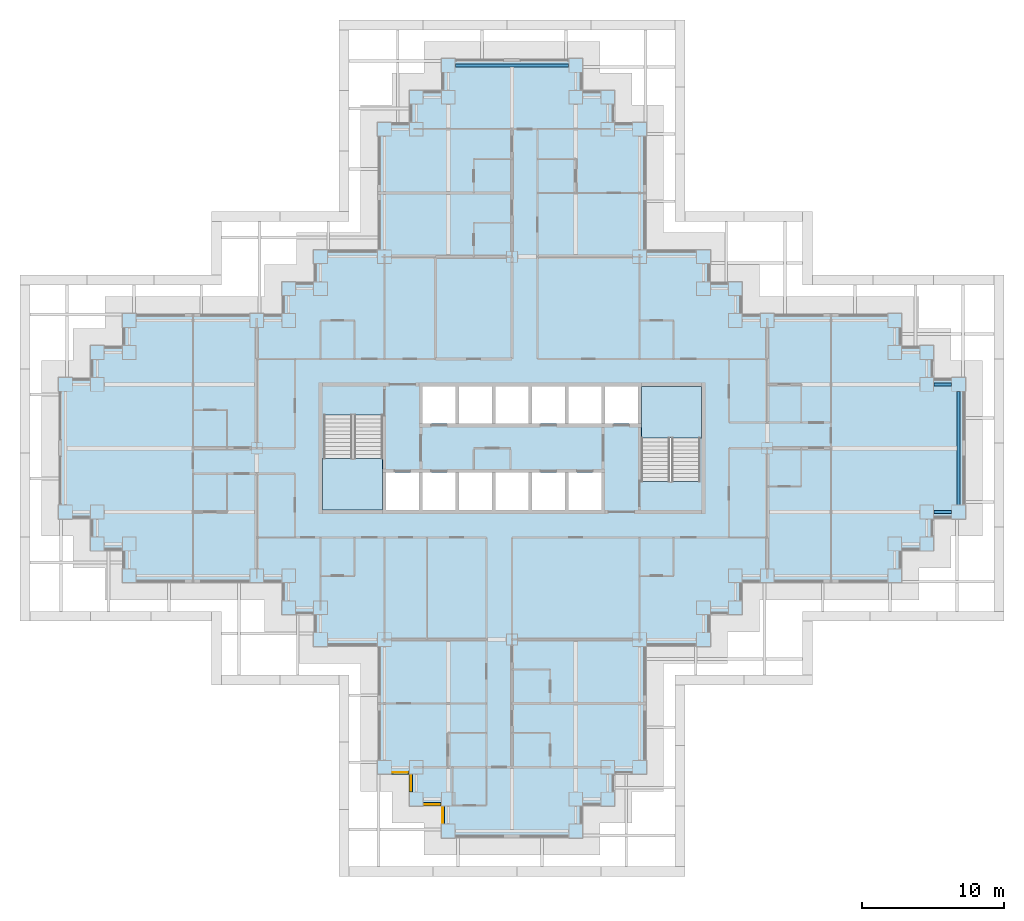
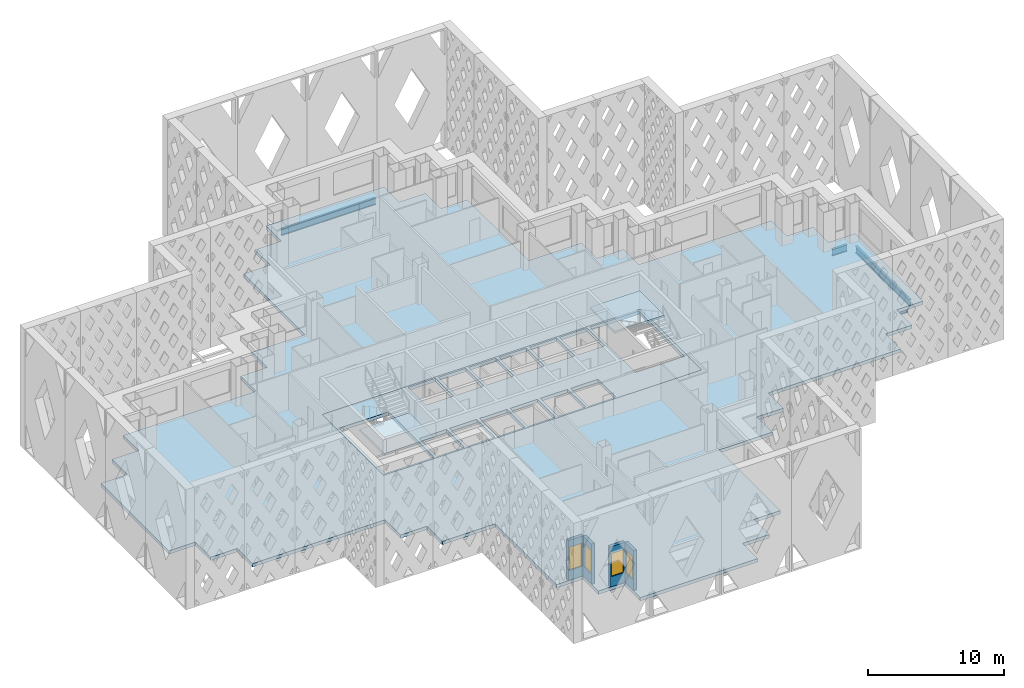
# One storey, part 2 of 19: 4 beams, 4 slabs, 4 walls, 4 windows, 4 openings, 2 elements without a shape of their own.
"""IFC4 building model written with IfcOpenShell, lengths in metres."""

from ifc_helpers import new_model, si_unit, direction, frame, frame_2d, origin, origin_2d, place, context, subcontext, project, spatial, polyline, rectangle, i_section, outline, extrude, material, layer, layer_set, material_profile, profile_set, type_object, element, fill, aggregate, save


model = new_model("IFC4")

# Units and contexts
model_context = context("Model", 3, precision=1e-05, world=origin(), true_north=direction((0.0, 1.0)))
body_context = subcontext(model_context, "Body", "Model", "MODEL_VIEW")
ifc_project = project(units=[si_unit("LENGTHUNIT", "METRE"), si_unit("AREAUNIT", "SQUARE_METRE"), si_unit("VOLUMEUNIT", "CUBIC_METRE"), si_unit("PLANEANGLEUNIT", "RADIAN"), si_unit("MASSUNIT", "GRAM", prefix="KILO")], contexts=[model_context])

# Site, building, storey
site_placement = place(None, origin())
site = spatial("IfcSite", under=ifc_project, at=site_placement, CompositionType="ELEMENT")
building_placement = place(site_placement, origin())
building = spatial("IfcBuilding", under=site, at=building_placement, Name="Caravel Reach Hotel and Residences", CompositionType="ELEMENT")
storey_placement = place(building_placement, frame((0.0, 0.0, 63.60009765625)))
storey = spatial("IfcBuildingStorey", under=building, at=storey_placement, Name="L14", CompositionType="ELEMENT", Elevation=63.60009765625)

# Beams
ifc_material_1 = material(Name="Structural steel Q355B", Category="steel")
ifc_material_profile = material_profile(ifc_material_1, i_section(OverallWidth=0.199951171875, OverallDepth=0.60009765625, WebThickness=0.010986328125, FlangeThickness=0.01708984375, FilletRadius=0.012939453125, at=origin_2d()), Name="HN 600x200x11x17")
ifc_profile_set = profile_set([ifc_material_profile], Name="Structural steel Q355B")
beam_type = type_object("IfcBeamType", Name="Spandrel beam HN 600x200x11x17", PredefinedType="SPANDREL", material=ifc_profile_set)
beam_1_placement = place(storey_placement, frame((61.25, 22.5, -0.60009765625), z_axis=(1.0, 0.0, 0.0), x_axis=(0.0, 1.0, 0.0)))
element("IfcBeam", 1, at=beam_1_placement, inside=storey, type_object=beam_type, Name="SP1 HN 600x200x11x17", PredefinedType="SPANDREL", context=body_context, shape_type="SweptSolid", body=[
    extrude(i_section(OverallWidth=0.199951171875, OverallDepth=0.60009765625, WebThickness=0.010986328125, FlangeThickness=0.01708984375, FilletRadius=0.012939453125, at=origin_2d()), origin(), (0.0, 0.0, 1.0), 1.25),
])
beam_2_placement = place(storey_placement, frame((63.0, 23.0, -0.60009765625), z_axis=(0.0, 1.0, 0.0), x_axis=(-1.0, 0.0, 0.0)))
element("IfcBeam", 2, at=beam_2_placement, inside=storey, type_object=beam_type, Name="SP1 HN 600x200x11x17", PredefinedType="SPANDREL", context=body_context, shape_type="SweptSolid", body=[
    extrude(i_section(OverallWidth=0.199951171875, OverallDepth=0.60009765625, WebThickness=0.010986328125, FlangeThickness=0.01708984375, FilletRadius=0.012939453125, at=origin_2d()), origin(), (0.0, 0.0, 1.0), 8.0),
])
beam_3_placement = place(storey_placement, frame((62.5, 31.5, -0.60009765625), z_axis=(-1.0, 0.0, 0.0), x_axis=(0.0, -1.0, 0.0)))
element("IfcBeam", 3, at=beam_3_placement, inside=storey, type_object=beam_type, Name="SP1 HN 600x200x11x17", PredefinedType="SPANDREL", context=body_context, shape_type="SweptSolid", body=[
    extrude(i_section(OverallWidth=0.199951171875, OverallDepth=0.60009765625, WebThickness=0.010986328125, FlangeThickness=0.01708984375, FilletRadius=0.012939453125, at=origin_2d()), origin(), (0.0, 0.0, 1.0), 1.25),
])
beam_4_placement = place(storey_placement, frame((35.5, 54.0, -0.60009765625), z_axis=(-1.0, 0.0, 0.0), x_axis=(0.0, -1.0, 0.0)))
element("IfcBeam", 4, at=beam_4_placement, inside=storey, type_object=beam_type, Name="SP1 HN 600x200x11x17", PredefinedType="SPANDREL", context=body_context, shape_type="SweptSolid", body=[
    extrude(i_section(OverallWidth=0.199951171875, OverallDepth=0.60009765625, WebThickness=0.010986328125, FlangeThickness=0.01708984375, FilletRadius=0.012939453125, at=origin_2d()), origin(), (0.0, 0.0, 1.0), 8.0),
])

# Slab
ifc_material_2 = material(Name="Concrete C40", Category="concrete")
ifc_layer_1 = layer(ifc_material_2, 0.300048828125)
ifc_layer_set_1 = layer_set([ifc_layer_1], Name="Core floor slab 300 mm")
slab_type_1 = type_object("IfcSlabType", Name="Core floor slab 300 mm", PredefinedType="FLOOR", material=ifc_layer_set_1)
slab_1_placement = place(storey_placement, frame((0.0, 0.0, -0.300048828125)))
element("IfcSlab", 5, at=slab_1_placement, inside=storey, type_object=slab_type_1, Name="L14 core floor", PredefinedType="FLOOR", context=body_context, shape_type="SweptSolid", body=[
    extrude(outline(polyline([(18.0, 31.5), (45.0, 31.5), (45.0, 22.5), (18.0, 22.5), (18.0, 31.5)]), holes=[polyline([(22.625, 25.27490234375), (22.625, 22.64990234375), (24.9462890625, 22.64990234375), (24.9462890625, 25.27490234375), (22.625, 25.27490234375)]), polyline([(27.517822265625, 25.27490234375), (25.1962890625, 25.27490234375), (25.1962890625, 22.64990234375), (27.517822265625, 22.64990234375), (27.517822265625, 25.27490234375)]), polyline([(30.08935546875, 25.27490234375), (27.767822265625, 25.27490234375), (27.767822265625, 22.64990234375), (30.08935546875, 22.64990234375), (30.08935546875, 25.27490234375)]), polyline([(32.66064453125, 25.27490234375), (30.33935546875, 25.27490234375), (30.33935546875, 22.64990234375), (32.66064453125, 22.64990234375), (32.66064453125, 25.27490234375)]), polyline([(18.22509765625, 22.64990234375), (22.375, 22.64990234375), (22.375, 29.35009765625), (18.22509765625, 29.35009765625), (18.22509765625, 22.64990234375)]), polyline([(27.517822265625, 31.35009765625), (25.1962890625, 31.35009765625), (25.1962890625, 28.72509765625), (27.517822265625, 28.72509765625), (27.517822265625, 31.35009765625)]), polyline([(30.08935546875, 31.35009765625), (27.767822265625, 31.35009765625), (27.767822265625, 28.72509765625), (30.08935546875, 28.72509765625), (30.08935546875, 31.35009765625)]), polyline([(32.91064453125, 25.27490234375), (32.91064453125, 22.64990234375), (35.232177734375, 22.64990234375), (35.232177734375, 25.27490234375), (32.91064453125, 25.27490234375)]), polyline([(37.8037109375, 25.27490234375), (35.482177734375, 25.27490234375), (35.482177734375, 22.64990234375), (37.8037109375, 22.64990234375), (37.8037109375, 25.27490234375)]), polyline([(44.77490234375, 31.35009765625), (40.625, 31.35009765625), (40.625, 24.64990234375), (44.77490234375, 24.64990234375), (44.77490234375, 31.35009765625)]), polyline([(32.66064453125, 31.35009765625), (30.33935546875, 31.35009765625), (30.33935546875, 28.72509765625), (32.66064453125, 28.72509765625), (32.66064453125, 31.35009765625)]), polyline([(35.232177734375, 31.35009765625), (32.91064453125, 31.35009765625), (32.91064453125, 28.72509765625), (35.232177734375, 28.72509765625), (35.232177734375, 31.35009765625)]), polyline([(37.8037109375, 31.35009765625), (35.482177734375, 31.35009765625), (35.482177734375, 28.72509765625), (37.8037109375, 28.72509765625), (37.8037109375, 31.35009765625)]), polyline([(40.375, 31.35009765625), (38.0537109375, 31.35009765625), (38.0537109375, 28.72509765625), (40.375, 28.72509765625), (40.375, 31.35009765625)])]), origin(), (0.0, 0.0, 1.0), 0.300048828125),
])

# Stair, slab
ifc_material_3 = material(Name="Concrete C40", Category="concrete")
stair_type = type_object("IfcStairType", Name="Core stair", PredefinedType="HALF_TURN_STAIR", material=ifc_material_3)
stair_1_placement = place(storey_placement, origin())
stair_1 = element("IfcStair", 6, at=stair_1_placement, inside=storey, type_object=stair_type, Name="L14 Exit stair A", PredefinedType="HALF_TURN_STAIR")
ifc_material_4 = material(Name="Concrete C40", Category="concrete")
ifc_layer_2 = layer(ifc_material_4, 0.199951171875)
ifc_layer_set_2 = layer_set([ifc_layer_2], Name="Core stair landing")
slab_type_2 = type_object("IfcSlabType", Name="Core stair landing", PredefinedType="LANDING", material=ifc_layer_set_2)
slab_2_placement = place(storey_placement, frame((0.0, 0.0, 1.599853515625)))
slab_2 = element("IfcSlab", 7, at=slab_2_placement, type_object=slab_type_2, Name="ST-A landing 1", PredefinedType="LANDING", context=body_context, shape_type="SweptSolid", body=[
    extrude(outline(polyline([(18.14990234375, 26.27001953125), (18.14990234375, 22.64990234375), (22.375, 22.64990234375), (22.375, 26.27001953125), (18.14990234375, 26.27001953125)])), origin(), (0.0, 0.0, 1.0), 0.199951171875),
])
aggregate(stair_1, [slab_2])

stair_2_placement = place(storey_placement, origin())
stair_2 = element("IfcStair", 8, at=stair_2_placement, inside=storey, type_object=stair_type, Name="L14 Exit stair B", PredefinedType="HALF_TURN_STAIR")
slab_3_placement = place(storey_placement, frame((0.0, 0.0, 1.599853515625)))
slab_3 = element("IfcSlab", 9, at=slab_3_placement, type_object=slab_type_2, Name="ST-B landing 1", PredefinedType="LANDING", context=body_context, shape_type="SweptSolid", body=[
    extrude(outline(polyline([(44.85009765625, 27.72998046875), (44.85009765625, 31.35009765625), (40.625, 31.35009765625), (40.625, 27.72998046875), (44.85009765625, 27.72998046875)])), origin(), (0.0, 0.0, 1.0), 0.199951171875),
])
aggregate(stair_2, [slab_3])

# Slab
ifc_material_5 = material(Name="Concrete C40 post-tensioned", Category="concrete")
ifc_layer_3 = layer(ifc_material_5, 0.300048828125)
ifc_layer_set_3 = layer_set([ifc_layer_3], Name="Floor slab 300")
slab_type_3 = type_object("IfcSlabType", Name="Floor slab 300", PredefinedType="FLOOR", material=ifc_layer_set_3)
slab_4_placement = place(storey_placement, frame((0.0, 0.0, -0.300048828125)))
element("IfcSlab", 10, at=slab_4_placement, inside=storey, type_object=slab_type_3, Name="S2 slab L14", PredefinedType="FLOOR", context=body_context, shape_type="SweptSolid", body=[
    extrude(outline(polyline([(17.5, 13.0), (17.5, 15.25), (15.25, 15.25), (15.25, 17.5), (4.0, 17.5), (4.0, 19.75), (1.75, 19.75), (1.75, 22.0), (-0.5, 22.0), (-0.5, 32.0), (1.75, 32.0), (1.75, 34.25), (4.0, 34.25), (4.0, 36.5), (15.25, 36.5), (15.25, 38.75), (17.5, 38.75), (17.5, 41.0), (22.0, 41.0), (22.0, 50.0), (24.25, 50.0), (24.25, 52.25), (26.5, 52.25), (26.5, 54.5), (36.5, 54.5), (36.5, 52.25), (38.75, 52.25), (38.75, 50.0), (41.0, 50.0), (41.0, 41.0), (45.5, 41.0), (45.5, 38.75), (47.75, 38.75), (47.75, 36.5), (59.0, 36.5), (59.0, 34.25), (61.25, 34.25), (61.25, 32.0), (63.5, 32.0), (63.5, 22.0), (61.25, 22.0), (61.25, 19.75), (59.0, 19.75), (59.0, 17.5), (47.75, 17.5), (47.75, 15.25), (45.5, 15.25), (45.5, 13.0), (41.0, 13.0), (41.0, 4.0), (38.75, 4.0), (38.75, 1.75), (36.5, 1.75), (36.5, -0.5), (26.5, -0.5), (26.5, 1.75), (24.25, 1.75), (24.25, 4.0), (22.0, 4.0), (22.0, 13.0), (17.5, 13.0)]), holes=[polyline([(45.0, 31.5), (18.0, 31.5), (18.0, 22.5), (45.0, 22.5), (45.0, 31.5)])]), origin(), (0.0, 0.0, 1.0), 0.300048828125),
])

# Wall, opening, window
ifc_material_6 = material(Name="Insulated rainscreen wall, aluminium cladding", Category="aluminium")
ifc_layer_4 = layer(ifc_material_6, 0.25)
ifc_layer_set_4 = layer_set([ifc_layer_4], Name="EW1 Tower rainscreen wall")
wall_type = type_object("IfcWallType", Name="EW1 Tower rainscreen wall", PredefinedType="SOLIDWALL", material=ifc_layer_set_4)
wall_1_placement = place(storey_placement, frame((23.0, 4.125, 0.0), z_axis=(0.0, 0.0, 1.0), x_axis=(1.0, 0.0, 0.0)))
wall_1 = element("IfcWall", 11, at=wall_1_placement, inside=storey, type_object=wall_type, Name="External wall L14 S1.1", PredefinedType="SOLIDWALL", context=body_context, shape_type="SweptSolid", body=[
    extrude(rectangle(XDim=1.25, YDim=0.25, at=frame_2d((0.625, 0.0))), origin(), (0.0, 0.0, 1.0), 3.599853515625),
])
opening_1_placement = place(wall_1_placement, frame((0.10009765625, 0.0, 0.89990234375)))
opening_1 = element("IfcOpeningElement", 12, at=opening_1_placement, cuts=wall_1, Name="Opening WN3", PredefinedType="OPENING", context=body_context, shape_type="SweptSolid", body=[
    extrude(rectangle(XDim=1.050048828125, YDim=2.080078125, at=frame_2d((0.52490234375, 1.0400390625))), frame((0.0, 0.135009765625, 0.0), z_axis=(0.0, -1.0, 0.0), x_axis=(1.0, 0.0, 0.0)), (0.0, 0.0, 1.0), 0.27001953125),
])
ifc_material_7 = material(Name="Dark low-e glazing in black aluminium frame", Category="aluminium")
window_type = type_object("IfcWindowType", Name="Hotel suite corner window 1050 x 2080", PartitioningType="SINGLE_PANEL", PredefinedType="WINDOW", material=ifc_material_7)
window_1_placement = place(opening_1_placement, origin())
window_1 = element("IfcWindow", 13, at=window_1_placement, inside=storey, type_object=window_type, Name="Window L14 S1.1.1", OverallHeight=2.080078125, OverallWidth=1.050048828125, PartitioningType="SINGLE_PANEL", PredefinedType="WINDOW", context=body_context, shape_type="SweptSolid", body=[
    extrude(rectangle(XDim=1.050048828125, YDim=2.080078125, at=frame_2d((0.52490234375, 1.0400390625))), frame((0.0, 0.030029296875, 0.0), z_axis=(0.0, -1.0, 0.0), x_axis=(1.0, 0.0, 0.0)), (0.0, 0.0, 1.0), 0.06005859375),
])
fill(opening_1, window_1)

wall_2_placement = place(storey_placement, frame((24.375, 4.0, 0.0), z_axis=(0.0, 0.0, 1.0), x_axis=(0.0, -1.0, 0.0)))
wall_2 = element("IfcWall", 14, at=wall_2_placement, inside=storey, type_object=wall_type, Name="External wall L14 W2.1", PredefinedType="SOLIDWALL", context=body_context, shape_type="SweptSolid", body=[
    extrude(rectangle(XDim=1.25, YDim=0.25, at=frame_2d((0.625, 0.0))), origin(), (0.0, 0.0, 1.0), 3.599853515625),
])
opening_2_placement = place(wall_2_placement, frame((0.10009765625, 0.0, 0.89990234375)))
opening_2 = element("IfcOpeningElement", 15, at=opening_2_placement, cuts=wall_2, Name="Opening WN3", PredefinedType="OPENING", context=body_context, shape_type="SweptSolid", body=[
    extrude(rectangle(XDim=1.050048828125, YDim=2.080078125, at=frame_2d((0.52490234375, 1.0400390625))), frame((0.0, 0.135009765625, 0.0), z_axis=(0.0, -1.0, 0.0), x_axis=(1.0, 0.0, 0.0)), (0.0, 0.0, 1.0), 0.27001953125),
])
window_2_placement = place(opening_2_placement, origin())
window_2 = element("IfcWindow", 16, at=window_2_placement, inside=storey, type_object=window_type, Name="Window L14 W2.1.1", OverallHeight=2.080078125, OverallWidth=1.050048828125, PartitioningType="SINGLE_PANEL", PredefinedType="WINDOW", context=body_context, shape_type="SweptSolid", body=[
    extrude(rectangle(XDim=1.050048828125, YDim=2.080078125, at=frame_2d((0.52490234375, 1.0400390625))), frame((0.0, 0.030029296875, 0.0), z_axis=(0.0, -1.0, 0.0), x_axis=(1.0, 0.0, 0.0)), (0.0, 0.0, 1.0), 0.06005859375),
])
fill(opening_2, window_2)

wall_3_placement = place(storey_placement, frame((25.25, 1.875, 0.0), z_axis=(0.0, 0.0, 1.0), x_axis=(1.0, 0.0, 0.0)))
wall_3 = element("IfcWall", 17, at=wall_3_placement, inside=storey, type_object=wall_type, Name="External wall L14 S3.1", PredefinedType="SOLIDWALL", context=body_context, shape_type="SweptSolid", body=[
    extrude(rectangle(XDim=1.25, YDim=0.25, at=frame_2d((0.625, 0.0))), origin(), (0.0, 0.0, 1.0), 3.599853515625),
])
opening_3_placement = place(wall_3_placement, frame((0.10009765625, 0.0, 0.89990234375)))
opening_3 = element("IfcOpeningElement", 18, at=opening_3_placement, cuts=wall_3, Name="Opening WN3", PredefinedType="OPENING", context=body_context, shape_type="SweptSolid", body=[
    extrude(rectangle(XDim=1.050048828125, YDim=2.080078125, at=frame_2d((0.52490234375, 1.0400390625))), frame((0.0, 0.135009765625, 0.0), z_axis=(0.0, -1.0, 0.0), x_axis=(1.0, 0.0, 0.0)), (0.0, 0.0, 1.0), 0.27001953125),
])
window_3_placement = place(opening_3_placement, origin())
window_3 = element("IfcWindow", 19, at=window_3_placement, inside=storey, type_object=window_type, Name="Window L14 S3.1.1", OverallHeight=2.080078125, OverallWidth=1.050048828125, PartitioningType="SINGLE_PANEL", PredefinedType="WINDOW", context=body_context, shape_type="SweptSolid", body=[
    extrude(rectangle(XDim=1.050048828125, YDim=2.080078125, at=frame_2d((0.52490234375, 1.0400390625))), frame((0.0, 0.030029296875, 0.0), z_axis=(0.0, -1.0, 0.0), x_axis=(1.0, 0.0, 0.0)), (0.0, 0.0, 1.0), 0.06005859375),
])
fill(opening_3, window_3)

wall_4_placement = place(storey_placement, frame((26.625, 1.75, 0.0), z_axis=(0.0, 0.0, 1.0), x_axis=(0.0, -1.0, 0.0)))
wall_4 = element("IfcWall", 20, at=wall_4_placement, inside=storey, type_object=wall_type, Name="External wall L14 W4.1", PredefinedType="SOLIDWALL", context=body_context, shape_type="SweptSolid", body=[
    extrude(rectangle(XDim=1.25, YDim=0.25, at=frame_2d((0.625, 0.0))), origin(), (0.0, 0.0, 1.0), 3.599853515625),
])
opening_4_placement = place(wall_4_placement, frame((0.10009765625, 0.0, 0.89990234375)))
opening_4 = element("IfcOpeningElement", 21, at=opening_4_placement, cuts=wall_4, Name="Opening WN3", PredefinedType="OPENING", context=body_context, shape_type="SweptSolid", body=[
    extrude(rectangle(XDim=1.050048828125, YDim=2.080078125, at=frame_2d((0.52490234375, 1.0400390625))), frame((0.0, 0.135009765625, 0.0), z_axis=(0.0, -1.0, 0.0), x_axis=(1.0, 0.0, 0.0)), (0.0, 0.0, 1.0), 0.27001953125),
])
window_4_placement = place(opening_4_placement, origin())
window_4 = element("IfcWindow", 22, at=window_4_placement, inside=storey, type_object=window_type, Name="Window L14 W4.1.1", OverallHeight=2.080078125, OverallWidth=1.050048828125, PartitioningType="SINGLE_PANEL", PredefinedType="WINDOW", context=body_context, shape_type="SweptSolid", body=[
    extrude(rectangle(XDim=1.050048828125, YDim=2.080078125, at=frame_2d((0.52490234375, 1.0400390625))), frame((0.0, 0.030029296875, 0.0), z_axis=(0.0, -1.0, 0.0), x_axis=(1.0, 0.0, 0.0)), (0.0, 0.0, 1.0), 0.06005859375),
])
fill(opening_4, window_4)

save(model, "model.ifc")
